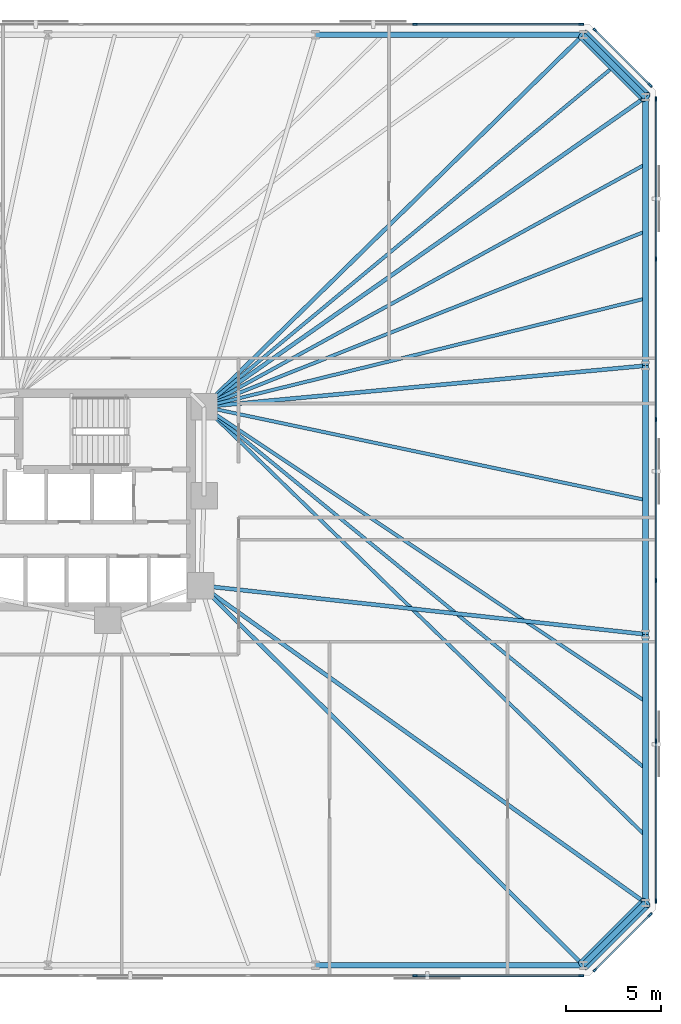
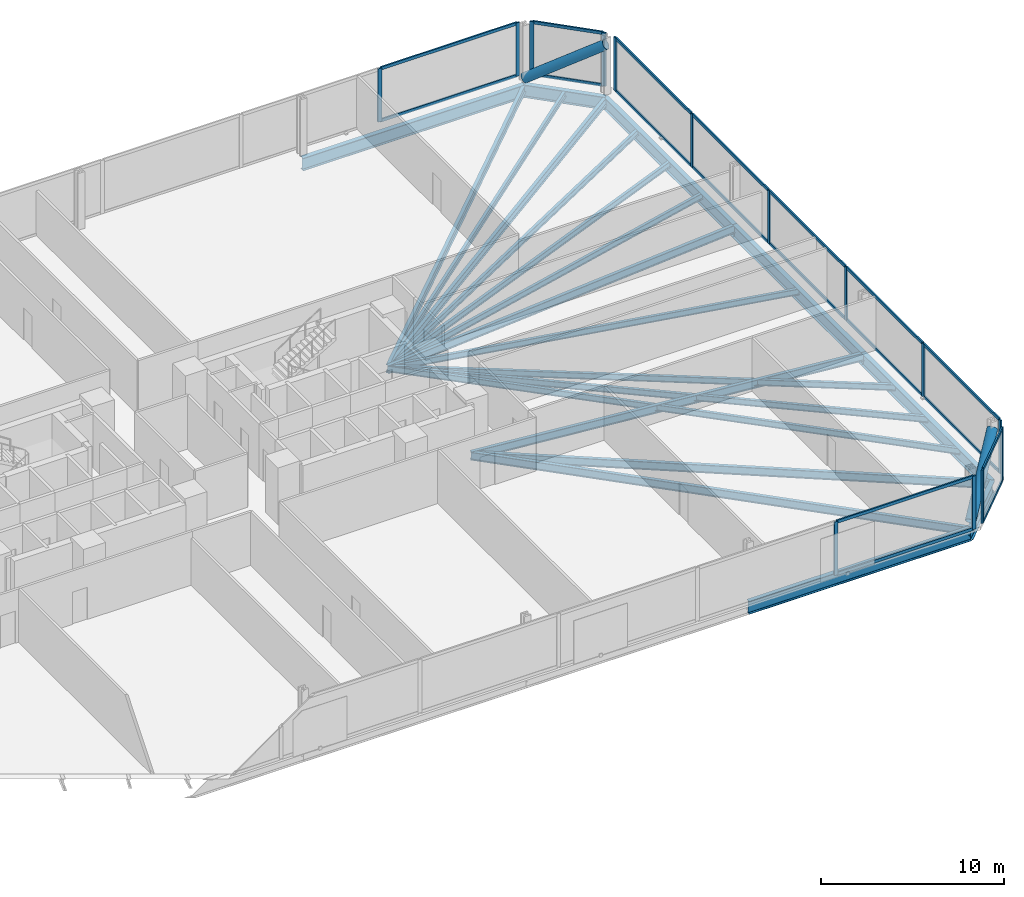
# One storey, part 10 of 17: 34 members, 21 beams, 5 elements without a shape of their own.
"""IFC4 building model written with IfcOpenShell, lengths in metres."""

from ifc_helpers import new_model, si_unit, direction, frame, origin, origin_2d, place, context, subcontext, project, spatial, rectangle, hollow_circle, i_section, extrude, material, material_profile, profile_set, type_object, element, aggregate, save


model = new_model("IFC4")

# Units and contexts
model_context = context("Model", 3, precision=1e-05, world=origin(), true_north=direction((0.0, 1.0)))
body_context = subcontext(model_context, "Body", "Model", "MODEL_VIEW")
ifc_project = project(units=[si_unit("LENGTHUNIT", "METRE"), si_unit("AREAUNIT", "SQUARE_METRE"), si_unit("VOLUMEUNIT", "CUBIC_METRE"), si_unit("PLANEANGLEUNIT", "RADIAN"), si_unit("MASSUNIT", "GRAM", prefix="KILO")], contexts=[model_context])

# Site, building, storey
site_placement = place(None, origin())
site = spatial("IfcSite", under=ifc_project, at=site_placement, CompositionType="ELEMENT")
building_placement = place(site_placement, origin())
building = spatial("IfcBuilding", under=site, at=building_placement, Name="Menara Jurai Vektor", CompositionType="ELEMENT")
storey_placement = place(building_placement, frame((0.0, 0.0, 56.0)))
storey = spatial("IfcBuildingStorey", under=building, at=storey_placement, Name="L13", CompositionType="ELEMENT", Elevation=56.0)

# Curtain wall, members
ifc_material_1 = material(Name="Anodised Pale Aluminium & Low-E Double Glazing", Category="aluminium")
curtain_wall_type = type_object("IfcCurtainWallType", Name="CW-BLK1", PredefinedType="NOTDEFINED", material=ifc_material_1)
curtain_wall_1_placement = place(storey_placement, origin())
curtain_wall_1 = element("IfcCurtainWall", 1, at=curtain_wall_1_placement, inside=storey, type_object=curtain_wall_type, Name="Unitised Curtain Wall L13 F01", PredefinedType="NOTDEFINED")
ifc_material_2 = material(Name="Anodised Pale Aluminium Mullion", Category="aluminium")
ifc_material_profile_1 = material_profile(ifc_material_2, rectangle(XDim=0.094970703125, YDim=0.239990234375, at=origin_2d()), Name="ALU MUL 95x240")
ifc_profile_set_1 = profile_set([ifc_material_profile_1], Name="Anodised Pale Aluminium Mullion")
member_type_1 = type_object("IfcMemberType", Name="CW-BLK1-MUL", PredefinedType="MULLION", material=ifc_profile_set_1)
member_1_placement = place(storey_placement, frame((26.340087890625, -25.0, 0.0), z_axis=(0.0, 0.0, 1.0), x_axis=(0.0, 1.0, 0.0)))
member_1 = element("IfcMember", 2, at=member_1_placement, type_object=member_type_1, Name="CW-01 mullion 8", PredefinedType="MULLION", context=body_context, shape_type="SweptSolid", body=[
    extrude(rectangle(XDim=0.094970703125, YDim=0.239990234375, at=origin_2d()), origin(), (0.0, 0.0, 1.0), 3.574951171875),
])
member_2_placement = place(storey_placement, frame((35.072509765625, -25.0, 0.0), z_axis=(0.0, 0.0, 1.0), x_axis=(0.0, 1.0, 0.0)))
member_2 = element("IfcMember", 3, at=member_2_placement, type_object=member_type_1, Name="CW-01 mullion 9", PredefinedType="MULLION", context=body_context, shape_type="SweptSolid", body=[
    extrude(rectangle(XDim=0.094970703125, YDim=0.239990234375, at=origin_2d()), origin(), (0.0, 0.0, 1.0), 3.574951171875),
])

curtain_wall_2_placement = place(storey_placement, origin())
curtain_wall_2 = element("IfcCurtainWall", 4, at=curtain_wall_2_placement, inside=storey, type_object=curtain_wall_type, Name="Unitised Curtain Wall L13 F02", PredefinedType="NOTDEFINED")
member_3_placement = place(storey_placement, frame((35.80224609375, -24.69775390625, 0.0), z_axis=(0.0, 0.0, 1.0), x_axis=(-0.707106781187, 0.707106781187, 0.0)))
member_3 = element("IfcMember", 5, at=member_3_placement, type_object=member_type_1, Name="CW-01 mullion 1", PredefinedType="MULLION", context=body_context, shape_type="SweptSolid", body=[
    extrude(rectangle(XDim=0.094970703125, YDim=0.239990234375, at=origin_2d()), origin(), (0.0, 0.0, 1.0), 3.574951171875),
])
member_4_placement = place(storey_placement, frame((38.69775390625, -21.80224609375, 0.0), z_axis=(0.0, 0.0, 1.0), x_axis=(-0.707106781187, 0.707106781187, 0.0)))
member_4 = element("IfcMember", 6, at=member_4_placement, type_object=member_type_1, Name="CW-01 mullion 2", PredefinedType="MULLION", context=body_context, shape_type="SweptSolid", body=[
    extrude(rectangle(XDim=0.094970703125, YDim=0.239990234375, at=origin_2d()), origin(), (0.0, 0.0, 1.0), 3.574951171875),
])

curtain_wall_3_placement = place(storey_placement, origin())
curtain_wall_3 = element("IfcCurtainWall", 7, at=curtain_wall_3_placement, inside=storey, type_object=curtain_wall_type, Name="Unitised Curtain Wall L13 F03", PredefinedType="NOTDEFINED")
member_5_placement = place(storey_placement, frame((39.0, -21.072509765625, 0.0), z_axis=(0.0, 0.0, 1.0), x_axis=(-1.0, 0.0, 0.0)))
member_5 = element("IfcMember", 8, at=member_5_placement, type_object=member_type_1, Name="CW-01 mullion 1", PredefinedType="MULLION", context=body_context, shape_type="SweptSolid", body=[
    extrude(rectangle(XDim=0.094970703125, YDim=0.239990234375, at=origin_2d()), origin(), (0.0, 0.0, 1.0), 3.574951171875),
])
member_6_placement = place(storey_placement, frame((39.0, -12.672119140625, 0.0), z_axis=(0.0, 0.0, 1.0), x_axis=(-1.0, 0.0, 0.0)))
member_6 = element("IfcMember", 9, at=member_6_placement, type_object=member_type_1, Name="CW-01 mullion 2", PredefinedType="MULLION", context=body_context, shape_type="SweptSolid", body=[
    extrude(rectangle(XDim=0.094970703125, YDim=0.239990234375, at=origin_2d()), origin(), (0.0, 0.0, 1.0), 3.574951171875),
])
member_7_placement = place(storey_placement, frame((39.0, -4.22412109375, 0.0), z_axis=(0.0, 0.0, 1.0), x_axis=(-1.0, 0.0, 0.0)))
member_7 = element("IfcMember", 10, at=member_7_placement, type_object=member_type_1, Name="CW-01 mullion 3", PredefinedType="MULLION", context=body_context, shape_type="SweptSolid", body=[
    extrude(rectangle(XDim=0.094970703125, YDim=0.239990234375, at=origin_2d()), origin(), (0.0, 0.0, 1.0), 3.574951171875),
])
member_8_placement = place(storey_placement, frame((39.0, 4.22412109375, 0.0), z_axis=(0.0, 0.0, 1.0), x_axis=(-1.0, 0.0, 0.0)))
member_8 = element("IfcMember", 11, at=member_8_placement, type_object=member_type_1, Name="CW-01 mullion 4", PredefinedType="MULLION", context=body_context, shape_type="SweptSolid", body=[
    extrude(rectangle(XDim=0.094970703125, YDim=0.239990234375, at=origin_2d()), origin(), (0.0, 0.0, 1.0), 3.574951171875),
])
member_9_placement = place(storey_placement, frame((39.0, 12.672119140625, 0.0), z_axis=(0.0, 0.0, 1.0), x_axis=(-1.0, 0.0, 0.0)))
member_9 = element("IfcMember", 12, at=member_9_placement, type_object=member_type_1, Name="CW-01 mullion 5", PredefinedType="MULLION", context=body_context, shape_type="SweptSolid", body=[
    extrude(rectangle(XDim=0.094970703125, YDim=0.239990234375, at=origin_2d()), origin(), (0.0, 0.0, 1.0), 3.574951171875),
])
member_10_placement = place(storey_placement, frame((39.0, 21.072509765625, 0.0), z_axis=(0.0, 0.0, 1.0), x_axis=(-1.0, 0.0, 0.0)))
member_10 = element("IfcMember", 13, at=member_10_placement, type_object=member_type_1, Name="CW-01 mullion 6", PredefinedType="MULLION", context=body_context, shape_type="SweptSolid", body=[
    extrude(rectangle(XDim=0.094970703125, YDim=0.239990234375, at=origin_2d()), origin(), (0.0, 0.0, 1.0), 3.574951171875),
])

curtain_wall_4_placement = place(storey_placement, origin())
curtain_wall_4 = element("IfcCurtainWall", 14, at=curtain_wall_4_placement, inside=storey, type_object=curtain_wall_type, Name="Unitised Curtain Wall L13 F04", PredefinedType="NOTDEFINED")
member_11_placement = place(storey_placement, frame((38.69775390625, 21.80224609375, 0.0), z_axis=(0.0, 0.0, 1.0), x_axis=(-0.707106781187, -0.707106781187, 0.0)))
member_11 = element("IfcMember", 15, at=member_11_placement, type_object=member_type_1, Name="CW-01 mullion 1", PredefinedType="MULLION", context=body_context, shape_type="SweptSolid", body=[
    extrude(rectangle(XDim=0.094970703125, YDim=0.239990234375, at=origin_2d()), origin(), (0.0, 0.0, 1.0), 3.574951171875),
])
member_12_placement = place(storey_placement, frame((35.80224609375, 24.69775390625, 0.0), z_axis=(0.0, 0.0, 1.0), x_axis=(-0.707106781187, -0.707106781187, 0.0)))
member_12 = element("IfcMember", 16, at=member_12_placement, type_object=member_type_1, Name="CW-01 mullion 2", PredefinedType="MULLION", context=body_context, shape_type="SweptSolid", body=[
    extrude(rectangle(XDim=0.094970703125, YDim=0.239990234375, at=origin_2d()), origin(), (0.0, 0.0, 1.0), 3.574951171875),
])

curtain_wall_5_placement = place(storey_placement, origin())
curtain_wall_5 = element("IfcCurtainWall", 17, at=curtain_wall_5_placement, inside=storey, type_object=curtain_wall_type, Name="Unitised Curtain Wall L13 F05", PredefinedType="NOTDEFINED")
member_13_placement = place(storey_placement, frame((35.072509765625, 25.0, 0.0), z_axis=(0.0, 0.0, 1.0), x_axis=(0.0, -1.0, 0.0)))
member_13 = element("IfcMember", 18, at=member_13_placement, type_object=member_type_1, Name="CW-01 mullion 1", PredefinedType="MULLION", context=body_context, shape_type="SweptSolid", body=[
    extrude(rectangle(XDim=0.094970703125, YDim=0.239990234375, at=origin_2d()), origin(), (0.0, 0.0, 1.0), 3.574951171875),
])
member_14_placement = place(storey_placement, frame((26.340087890625, 25.0, 0.0), z_axis=(0.0, 0.0, 1.0), x_axis=(0.0, -1.0, 0.0)))
member_14 = element("IfcMember", 19, at=member_14_placement, type_object=member_type_1, Name="CW-01 mullion 2", PredefinedType="MULLION", context=body_context, shape_type="SweptSolid", body=[
    extrude(rectangle(XDim=0.094970703125, YDim=0.239990234375, at=origin_2d()), origin(), (0.0, 0.0, 1.0), 3.574951171875),
])

# Member
ifc_material_3 = material(Name="Anodised Pale Aluminium Transom", Category="aluminium")
ifc_material_profile_2 = material_profile(ifc_material_3, rectangle(XDim=0.094970703125, YDim=0.199951171875, at=origin_2d()), Name="ALU TRN 95x200")
ifc_profile_set_2 = profile_set([ifc_material_profile_2], Name="Anodised Pale Aluminium Transom")
member_type_2 = type_object("IfcMemberType", Name="CW-BLK1-TRN", PredefinedType="USERDEFINED", material=ifc_profile_set_2)
member_15_placement = place(storey_placement, frame((26.387451171875, -25.0, 0.047607421875), z_axis=(1.0, 0.0, 0.0), x_axis=(0.0, 1.0, 0.0)))
member_15 = element("IfcMember", 20, at=member_15_placement, type_object=member_type_2, Name="CW-01 transom 8.1", ObjectType="TRANSOM", PredefinedType="USERDEFINED", context=body_context, shape_type="SweptSolid", body=[
    extrude(rectangle(XDim=0.094970703125, YDim=0.199951171875, at=origin_2d()), origin(), (0.0, 0.0, 1.0), 8.637451171875),
])

member_16_placement = place(storey_placement, frame((26.387451171875, -25.0, 3.527587890625), z_axis=(1.0, 0.0, 0.0), x_axis=(0.0, 1.0, 0.0)))
member_16 = element("IfcMember", 21, at=member_16_placement, type_object=member_type_2, Name="CW-01 transom 8.2", ObjectType="TRANSOM", PredefinedType="USERDEFINED", context=body_context, shape_type="SweptSolid", body=[
    extrude(rectangle(XDim=0.094970703125, YDim=0.199951171875, at=origin_2d()), origin(), (0.0, 0.0, 1.0), 8.637451171875),
])

aggregate(curtain_wall_1, [member_1, member_2, member_15, member_16])

member_17_placement = place(storey_placement, frame((35.8359375, -24.6640625, 0.047607421875), z_axis=(0.707106781187, 0.707106781187, 0.0), x_axis=(-0.707106781187, 0.707106781187, 0.0)))
member_17 = element("IfcMember", 22, at=member_17_placement, type_object=member_type_2, Name="CW-01 transom 1.1", ObjectType="TRANSOM", PredefinedType="USERDEFINED", context=body_context, shape_type="SweptSolid", body=[
    extrude(rectangle(XDim=0.094970703125, YDim=0.199951171875, at=origin_2d()), origin(), (0.0, 0.0, 1.0), 3.99951171875),
])

member_18_placement = place(storey_placement, frame((35.8359375, -24.6640625, 3.527587890625), z_axis=(0.707106781187, 0.707106781187, 0.0), x_axis=(-0.707106781187, 0.707106781187, 0.0)))
member_18 = element("IfcMember", 23, at=member_18_placement, type_object=member_type_2, Name="CW-01 transom 1.2", ObjectType="TRANSOM", PredefinedType="USERDEFINED", context=body_context, shape_type="SweptSolid", body=[
    extrude(rectangle(XDim=0.094970703125, YDim=0.199951171875, at=origin_2d()), origin(), (0.0, 0.0, 1.0), 3.99951171875),
])

aggregate(curtain_wall_2, [member_3, member_4, member_17, member_18])

member_19_placement = place(storey_placement, frame((39.0, -21.02490234375, 0.047607421875), z_axis=(0.0, 1.0, 0.0), x_axis=(-1.0, 0.0, 0.0)))
member_19 = element("IfcMember", 24, at=member_19_placement, type_object=member_type_2, Name="CW-01 transom 1.1", ObjectType="TRANSOM", PredefinedType="USERDEFINED", context=body_context, shape_type="SweptSolid", body=[
    extrude(rectangle(XDim=0.094970703125, YDim=0.199951171875, at=origin_2d()), origin(), (0.0, 0.0, 1.0), 8.305419921875),
])

member_20_placement = place(storey_placement, frame((39.0, -21.02490234375, 3.527587890625), z_axis=(0.0, 1.0, 0.0), x_axis=(-1.0, 0.0, 0.0)))
member_20 = element("IfcMember", 25, at=member_20_placement, type_object=member_type_2, Name="CW-01 transom 1.2", ObjectType="TRANSOM", PredefinedType="USERDEFINED", context=body_context, shape_type="SweptSolid", body=[
    extrude(rectangle(XDim=0.094970703125, YDim=0.199951171875, at=origin_2d()), origin(), (0.0, 0.0, 1.0), 8.305419921875),
])

member_21_placement = place(storey_placement, frame((39.0, -12.62451171875, 0.047607421875), z_axis=(0.0, 1.0, 0.0), x_axis=(-1.0, 0.0, 0.0)))
member_21 = element("IfcMember", 26, at=member_21_placement, type_object=member_type_2, Name="CW-01 transom 2.1", ObjectType="TRANSOM", PredefinedType="USERDEFINED", context=body_context, shape_type="SweptSolid", body=[
    extrude(rectangle(XDim=0.094970703125, YDim=0.199951171875, at=origin_2d()), origin(), (0.0, 0.0, 1.0), 8.35302734375),
])

member_22_placement = place(storey_placement, frame((39.0, -12.62451171875, 3.527587890625), z_axis=(0.0, 1.0, 0.0), x_axis=(-1.0, 0.0, 0.0)))
member_22 = element("IfcMember", 27, at=member_22_placement, type_object=member_type_2, Name="CW-01 transom 2.2", ObjectType="TRANSOM", PredefinedType="USERDEFINED", context=body_context, shape_type="SweptSolid", body=[
    extrude(rectangle(XDim=0.094970703125, YDim=0.199951171875, at=origin_2d()), origin(), (0.0, 0.0, 1.0), 8.35302734375),
])

member_23_placement = place(storey_placement, frame((39.0, -4.176513671875, 0.047607421875), z_axis=(0.0, 1.0, 0.0), x_axis=(-1.0, 0.0, 0.0)))
member_23 = element("IfcMember", 28, at=member_23_placement, type_object=member_type_2, Name="CW-01 transom 3.1", ObjectType="TRANSOM", PredefinedType="USERDEFINED", context=body_context, shape_type="SweptSolid", body=[
    extrude(rectangle(XDim=0.094970703125, YDim=0.199951171875, at=origin_2d()), origin(), (0.0, 0.0, 1.0), 8.35302734375),
])

member_24_placement = place(storey_placement, frame((39.0, -4.176513671875, 3.527587890625), z_axis=(0.0, 1.0, 0.0), x_axis=(-1.0, 0.0, 0.0)))
member_24 = element("IfcMember", 29, at=member_24_placement, type_object=member_type_2, Name="CW-01 transom 3.2", ObjectType="TRANSOM", PredefinedType="USERDEFINED", context=body_context, shape_type="SweptSolid", body=[
    extrude(rectangle(XDim=0.094970703125, YDim=0.199951171875, at=origin_2d()), origin(), (0.0, 0.0, 1.0), 8.35302734375),
])

member_25_placement = place(storey_placement, frame((39.0, 4.271484375, 0.047607421875), z_axis=(0.0, 1.0, 0.0), x_axis=(-1.0, 0.0, 0.0)))
member_25 = element("IfcMember", 30, at=member_25_placement, type_object=member_type_2, Name="CW-01 transom 4.1", ObjectType="TRANSOM", PredefinedType="USERDEFINED", context=body_context, shape_type="SweptSolid", body=[
    extrude(rectangle(XDim=0.094970703125, YDim=0.199951171875, at=origin_2d()), origin(), (0.0, 0.0, 1.0), 8.35302734375),
])

member_26_placement = place(storey_placement, frame((39.0, 4.271484375, 3.527587890625), z_axis=(0.0, 1.0, 0.0), x_axis=(-1.0, 0.0, 0.0)))
member_26 = element("IfcMember", 31, at=member_26_placement, type_object=member_type_2, Name="CW-01 transom 4.2", ObjectType="TRANSOM", PredefinedType="USERDEFINED", context=body_context, shape_type="SweptSolid", body=[
    extrude(rectangle(XDim=0.094970703125, YDim=0.199951171875, at=origin_2d()), origin(), (0.0, 0.0, 1.0), 8.35302734375),
])

member_27_placement = place(storey_placement, frame((39.0, 12.719482421875, 0.047607421875), z_axis=(0.0, 1.0, 0.0), x_axis=(-1.0, 0.0, 0.0)))
member_27 = element("IfcMember", 32, at=member_27_placement, type_object=member_type_2, Name="CW-01 transom 5.1", ObjectType="TRANSOM", PredefinedType="USERDEFINED", context=body_context, shape_type="SweptSolid", body=[
    extrude(rectangle(XDim=0.094970703125, YDim=0.199951171875, at=origin_2d()), origin(), (0.0, 0.0, 1.0), 8.305419921875),
])

member_28_placement = place(storey_placement, frame((39.0, 12.719482421875, 3.527587890625), z_axis=(0.0, 1.0, 0.0), x_axis=(-1.0, 0.0, 0.0)))
member_28 = element("IfcMember", 33, at=member_28_placement, type_object=member_type_2, Name="CW-01 transom 5.2", ObjectType="TRANSOM", PredefinedType="USERDEFINED", context=body_context, shape_type="SweptSolid", body=[
    extrude(rectangle(XDim=0.094970703125, YDim=0.199951171875, at=origin_2d()), origin(), (0.0, 0.0, 1.0), 8.305419921875),
])

aggregate(curtain_wall_3, [member_5, member_6, member_7, member_8, member_9, member_10, member_19, member_20, member_21, member_22, member_23, member_24, member_25, member_26, member_27, member_28])

member_29_placement = place(storey_placement, frame((38.6640625, 21.8359375, 0.047607421875), z_axis=(-0.707106781187, 0.707106781187, 0.0), x_axis=(-0.707106781187, -0.707106781187, 0.0)))
member_29 = element("IfcMember", 34, at=member_29_placement, type_object=member_type_2, Name="CW-01 transom 1.1", ObjectType="TRANSOM", PredefinedType="USERDEFINED", context=body_context, shape_type="SweptSolid", body=[
    extrude(rectangle(XDim=0.094970703125, YDim=0.199951171875, at=origin_2d()), origin(), (0.0, 0.0, 1.0), 3.99951171875),
])

member_30_placement = place(storey_placement, frame((38.6640625, 21.8359375, 3.527587890625), z_axis=(-0.707106781187, 0.707106781187, 0.0), x_axis=(-0.707106781187, -0.707106781187, 0.0)))
member_30 = element("IfcMember", 35, at=member_30_placement, type_object=member_type_2, Name="CW-01 transom 1.2", ObjectType="TRANSOM", PredefinedType="USERDEFINED", context=body_context, shape_type="SweptSolid", body=[
    extrude(rectangle(XDim=0.094970703125, YDim=0.199951171875, at=origin_2d()), origin(), (0.0, 0.0, 1.0), 3.99951171875),
])

aggregate(curtain_wall_4, [member_11, member_12, member_29, member_30])

member_31_placement = place(storey_placement, frame((35.02490234375, 25.0, 0.047607421875), z_axis=(-1.0, 0.0, 0.0), x_axis=(0.0, -1.0, 0.0)))
member_31 = element("IfcMember", 36, at=member_31_placement, type_object=member_type_2, Name="CW-01 transom 1.1", ObjectType="TRANSOM", PredefinedType="USERDEFINED", context=body_context, shape_type="SweptSolid", body=[
    extrude(rectangle(XDim=0.094970703125, YDim=0.199951171875, at=origin_2d()), origin(), (0.0, 0.0, 1.0), 8.637451171875),
])

member_32_placement = place(storey_placement, frame((35.02490234375, 25.0, 3.527587890625), z_axis=(-1.0, 0.0, 0.0), x_axis=(0.0, -1.0, 0.0)))
member_32 = element("IfcMember", 37, at=member_32_placement, type_object=member_type_2, Name="CW-01 transom 1.2", ObjectType="TRANSOM", PredefinedType="USERDEFINED", context=body_context, shape_type="SweptSolid", body=[
    extrude(rectangle(XDim=0.094970703125, YDim=0.199951171875, at=origin_2d()), origin(), (0.0, 0.0, 1.0), 8.637451171875),
])

aggregate(curtain_wall_5, [member_13, member_14, member_31, member_32])

# Beams
ifc_material_4 = material(Name="Steel S355", Category="steel")
ifc_material_profile_3 = material_profile(ifc_material_4, i_section(OverallWidth=0.2109375, OverallDepth=0.5390625, WebThickness=0.011962890625, FlangeThickness=0.01904296875, FilletRadius=0.012939453125, at=origin_2d()), Name="UKB 533x210x109")
ifc_profile_set_3 = profile_set([ifc_material_profile_3], Name="Steel S355")
beam_type_1 = type_object("IfcBeamType", Name="STR-BM-533", PredefinedType="BEAM", material=ifc_profile_set_3)
beam_1_placement = place(storey_placement, frame((35.177734375, -24.449951171875, -0.494384765625), z_axis=(-0.709709931659, 0.704494011972, 0.0), x_axis=(-0.704494011972, -0.709709931659, 0.0)))
element("IfcBeam", 38, at=beam_1_placement, inside=storey, type_object=beam_type_1, Name="Radial Floor Girder L13-S6", PredefinedType="BEAM", context=body_context, shape_type="SweptSolid", body=[
    extrude(i_section(OverallWidth=0.2109375, OverallDepth=0.5390625, WebThickness=0.011962890625, FlangeThickness=0.01904296875, FilletRadius=0.012939453125, at=origin_2d()), origin(), (0.0, 0.0, 1.0), 28.318115234375),
])
beam_2_placement = place(storey_placement, frame((38.449951171875, -21.177734375, -0.494384765625), z_axis=(-0.813981033216, 0.580891450759, 0.0), x_axis=(-0.580891450759, -0.813981033216, 0.0)))
element("IfcBeam", 39, at=beam_2_placement, inside=storey, type_object=beam_type_1, Name="Radial Floor Girder L13-E1", PredefinedType="BEAM", context=body_context, shape_type="SweptSolid", body=[
    extrude(i_section(OverallWidth=0.2109375, OverallDepth=0.5390625, WebThickness=0.011962890625, FlangeThickness=0.01904296875, FilletRadius=0.012939453125, at=origin_2d()), origin(), (0.0, 0.0, 1.0), 28.710693359375),
])
beam_3_placement = place(storey_placement, frame((38.449951171875, -7.059326171875, -0.494384765625), z_axis=(-0.994056757953, 0.108863042253, 0.0), x_axis=(-0.108863042253, -0.994056757953, 0.0)))
element("IfcBeam", 40, at=beam_3_placement, inside=storey, type_object=beam_type_1, Name="Radial Floor Girder L13-E2", PredefinedType="BEAM", context=body_context, shape_type="SweptSolid", body=[
    extrude(i_section(OverallWidth=0.2109375, OverallDepth=0.5390625, WebThickness=0.011962890625, FlangeThickness=0.01904296875, FilletRadius=0.012939453125, at=origin_2d()), origin(), (0.0, 0.0, 1.0), 23.509521484375),
])
beam_4_placement = place(storey_placement, frame((38.449951171875, 7.059326171875, -0.494384765625), z_axis=(-0.995696113112, -0.092678208514, 0.0), x_axis=(0.092678208514, -0.995696113112, 0.0)))
element("IfcBeam", 41, at=beam_4_placement, inside=storey, type_object=beam_type_1, Name="Radial Floor Girder L13-E3", PredefinedType="BEAM", context=body_context, shape_type="SweptSolid", body=[
    extrude(i_section(OverallWidth=0.2109375, OverallDepth=0.5390625, WebThickness=0.011962890625, FlangeThickness=0.01904296875, FilletRadius=0.012939453125, at=origin_2d()), origin(), (0.0, 0.0, 1.0), 23.30029296875),
])
beam_5_placement = place(storey_placement, frame((38.449951171875, 21.177734375, -0.494384765625), z_axis=(-0.818603732445, -0.574358711283, 0.0), x_axis=(0.574358711283, -0.818603732445, 0.0)))
element("IfcBeam", 42, at=beam_5_placement, inside=storey, type_object=beam_type_1, Name="Radial Floor Girder L13-E4", PredefinedType="BEAM", context=body_context, shape_type="SweptSolid", body=[
    extrude(i_section(OverallWidth=0.2109375, OverallDepth=0.5390625, WebThickness=0.011962890625, FlangeThickness=0.01904296875, FilletRadius=0.012939453125, at=origin_2d()), origin(), (0.0, 0.0, 1.0), 28.3408203125),
])
beam_6_placement = place(storey_placement, frame((35.177734375, 24.449951171875, -0.494384765625), z_axis=(-0.713839032855, -0.700309813706, 0.0), x_axis=(0.700309813706, -0.713839032855, 0.0)))
element("IfcBeam", 43, at=beam_6_placement, inside=storey, type_object=beam_type_1, Name="Radial Floor Girder L13-N1", PredefinedType="BEAM", context=body_context, shape_type="SweptSolid", body=[
    extrude(i_section(OverallWidth=0.2109375, OverallDepth=0.5390625, WebThickness=0.011962890625, FlangeThickness=0.01904296875, FilletRadius=0.012939453125, at=origin_2d()), origin(), (0.0, 0.0, 1.0), 27.916259765625),
])

# Members
ifc_material_5 = material(Name="Steel S460", Category="steel")
ifc_material_profile_4 = material_profile(ifc_material_5, hollow_circle(Radius=0.304931640625, WallThickness=0.02490234375, at=origin_2d()), Name="CHS 610x25")
ifc_profile_set_4 = profile_set([ifc_material_profile_4], Name="Steel S460")
member_type_3 = type_object("IfcMemberType", Name="STR-BR-610", PredefinedType="BRACE", material=ifc_profile_set_4)
for number, where, z_axis, x_axis, name in (
    (44, (35.177734375, -24.449951171875, 0.14990234375), (0.588928100616, 0.588928100616, 0.55346850372), (-0.707106781187, 0.707106781187, 0.0), "Exoskeleton Corner Brace L13-1"),
    (45, (35.177734375, 24.449951171875, 0.14990234375), (0.588928100616, -0.588928100616, 0.55346850372), (0.707106781187, 0.707106781187, 0.0), "Exoskeleton Corner Brace L13-2"),
):
    element("IfcMember", number, at=place(storey_placement, frame(where, z_axis=z_axis, x_axis=x_axis)), inside=storey, type_object=member_type_3, Name=name, PredefinedType="BRACE", context=body_context, shape_type="SweptSolid", body=[
        extrude(hollow_circle(Radius=0.304931640625, WallThickness=0.02490234375, at=origin_2d()), origin(), (0.0, 0.0, 1.0), 5.55615234375),
    ])

# Beams
ifc_material_profile_5 = material_profile(ifc_material_4, i_section(OverallWidth=0.178955078125, OverallDepth=0.408935546875, WebThickness=0.009033203125, FlangeThickness=0.013916015625, FilletRadius=0.010009765625, at=origin_2d()), Name="UKB 406x178x67")
ifc_profile_set_5 = profile_set([ifc_material_profile_5], Name="Steel S355")
beam_type_2 = type_object("IfcBeamType", Name="STR-JS-406", PredefinedType="JOIST", material=ifc_profile_set_5)
beam_7_placement = place(storey_placement, frame((38.449951171875, -17.648193359375, -0.429443359375), z_axis=(-0.71710942187, 0.696960599363, 0.0), x_axis=(-0.696960599363, -0.71710942187, 0.0)))
element("IfcBeam", 46, at=beam_7_placement, inside=storey, type_object=beam_type_2, Name="Radial Secondary Floor Joist L13-JS08", PredefinedType="JOIST", context=body_context, shape_type="SweptSolid", body=[
    extrude(i_section(OverallWidth=0.178955078125, OverallDepth=0.408935546875, WebThickness=0.009033203125, FlangeThickness=0.013916015625, FilletRadius=0.010009765625, at=origin_2d()), origin(), (0.0, 0.0, 1.0), 32.35205078125),
])
beam_8_placement = place(storey_placement, frame((38.449951171875, -14.118408203125, -0.429443359375), z_axis=(-0.773360118456, 0.633966976413, 0.0), x_axis=(-0.633966976413, -0.773360118456, 0.0)))
element("IfcBeam", 47, at=beam_8_placement, inside=storey, type_object=beam_type_2, Name="Radial Secondary Floor Joist L13-JS09", PredefinedType="JOIST", context=body_context, shape_type="SweptSolid", body=[
    extrude(i_section(OverallWidth=0.178955078125, OverallDepth=0.408935546875, WebThickness=0.009033203125, FlangeThickness=0.013916015625, FilletRadius=0.010009765625, at=origin_2d()), origin(), (0.0, 0.0, 1.0), 29.998779296875),
])
beam_9_placement = place(storey_placement, frame((38.449951171875, -10.5888671875, -0.429443359375), z_axis=(-0.831683872109, 0.555249436627, 0.0), x_axis=(-0.555249436627, -0.831683872109, 0.0)))
element("IfcBeam", 48, at=beam_9_placement, inside=storey, type_object=beam_type_2, Name="Radial Secondary Floor Joist L13-JS10", PredefinedType="JOIST", context=body_context, shape_type="SweptSolid", body=[
    extrude(i_section(OverallWidth=0.178955078125, OverallDepth=0.408935546875, WebThickness=0.009033203125, FlangeThickness=0.013916015625, FilletRadius=0.010009765625, at=origin_2d()), origin(), (0.0, 0.0, 1.0), 27.895263671875),
])
beam_10_placement = place(storey_placement, frame((38.449951171875, 0.0, -0.429443359375), z_axis=(-0.978416084102, 0.206644541109, 0.0), x_axis=(-0.206644541109, -0.978416084102, 0.0)))
element("IfcBeam", 49, at=beam_10_placement, inside=storey, type_object=beam_type_2, Name="Radial Secondary Floor Joist L13-JS11", PredefinedType="JOIST", context=body_context, shape_type="SweptSolid", body=[
    extrude(i_section(OverallWidth=0.178955078125, OverallDepth=0.408935546875, WebThickness=0.009033203125, FlangeThickness=0.013916015625, FilletRadius=0.010009765625, at=origin_2d()), origin(), (0.0, 0.0, 1.0), 23.711669921875),
])
beam_11_placement = place(storey_placement, frame((38.449951171875, 10.5888671875, -0.429443359375), z_axis=(-0.971226234641, -0.238158772976, 0.0), x_axis=(0.238158772976, -0.971226234641, 0.0)))
element("IfcBeam", 50, at=beam_11_placement, inside=storey, type_object=beam_type_2, Name="Radial Secondary Floor Joist L13-JS12", PredefinedType="JOIST", context=body_context, shape_type="SweptSolid", body=[
    extrude(i_section(OverallWidth=0.178955078125, OverallDepth=0.408935546875, WebThickness=0.009033203125, FlangeThickness=0.013916015625, FilletRadius=0.010009765625, at=origin_2d()), origin(), (0.0, 0.0, 1.0), 23.88720703125),
])
beam_12_placement = place(storey_placement, frame((38.449951171875, 14.118408203125, -0.429443359375), z_axis=(-0.929323400723, -0.369266864027, 0.0), x_axis=(0.369266864027, -0.929323400723, 0.0)))
element("IfcBeam", 51, at=beam_12_placement, inside=storey, type_object=beam_type_2, Name="Radial Secondary Floor Joist L13-JS13", PredefinedType="JOIST", context=body_context, shape_type="SweptSolid", body=[
    extrude(i_section(OverallWidth=0.178955078125, OverallDepth=0.408935546875, WebThickness=0.009033203125, FlangeThickness=0.013916015625, FilletRadius=0.010009765625, at=origin_2d()), origin(), (0.0, 0.0, 1.0), 24.96435546875),
])
beam_13_placement = place(storey_placement, frame((38.449951171875, 17.648193359375, -0.429443359375), z_axis=(-0.87640219057, -0.481579900291, 0.0), x_axis=(0.481579900291, -0.87640219057, 0.0)))
element("IfcBeam", 52, at=beam_13_placement, inside=storey, type_object=beam_type_2, Name="Radial Secondary Floor Joist L13-JS14", PredefinedType="JOIST", context=body_context, shape_type="SweptSolid", body=[
    extrude(i_section(OverallWidth=0.178955078125, OverallDepth=0.408935546875, WebThickness=0.009033203125, FlangeThickness=0.013916015625, FilletRadius=0.010009765625, at=origin_2d()), origin(), (0.0, 0.0, 1.0), 26.471923828125),
])
beam_14_placement = place(storey_placement, frame((36.81396484375, 22.81396484375, -0.429443359375), z_axis=(-0.769201173096, -0.639006694259, 0.0), x_axis=(0.639006694259, -0.769201173096, 0.0)))
element("IfcBeam", 53, at=beam_14_placement, inside=storey, type_object=beam_type_2, Name="Radial Secondary Floor Joist L13-JS15", PredefinedType="JOIST", context=body_context, shape_type="SweptSolid", body=[
    extrude(i_section(OverallWidth=0.178955078125, OverallDepth=0.408935546875, WebThickness=0.009033203125, FlangeThickness=0.013916015625, FilletRadius=0.010009765625, at=origin_2d()), origin(), (0.0, 0.0, 1.0), 28.0341796875),
])
ifc_material_profile_6 = material_profile(ifc_material_5, i_section(OverallWidth=0.2939453125, OverallDepth=0.85107421875, WebThickness=0.01611328125, FlangeThickness=0.027099609375, FilletRadius=0.01806640625, at=origin_2d()), Name="UKB 838x292x226")
ifc_profile_set_6 = profile_set([ifc_material_profile_6], Name="Steel S460")
beam_type_3 = type_object("IfcBeamType", Name="STR-SP-838", PredefinedType="SPANDREL", material=ifc_profile_set_6)
beam_15_placement = place(storey_placement, frame((21.106689453125, -24.449951171875, -0.650390625), z_axis=(1.0, 0.0, 0.0), x_axis=(0.0, 1.0, 0.0)))
element("IfcBeam", 54, at=beam_15_placement, inside=storey, type_object=beam_type_3, Name="Exoskeleton Spandrel Beam L13-05", PredefinedType="SPANDREL", context=body_context, shape_type="SweptSolid", body=[
    extrude(i_section(OverallWidth=0.2939453125, OverallDepth=0.85107421875, WebThickness=0.01611328125, FlangeThickness=0.027099609375, FilletRadius=0.01806640625, at=origin_2d()), origin(), (0.0, 0.0, 1.0), 14.071044921875),
])
beam_16_placement = place(storey_placement, frame((35.177734375, -24.449951171875, -0.650390625), z_axis=(0.707106781187, 0.707106781187, 0.0), x_axis=(-0.707106781187, 0.707106781187, 0.0)))
element("IfcBeam", 55, at=beam_16_placement, inside=storey, type_object=beam_type_3, Name="Exoskeleton Spandrel Beam L13-06", PredefinedType="SPANDREL", context=body_context, shape_type="SweptSolid", body=[
    extrude(i_section(OverallWidth=0.2939453125, OverallDepth=0.85107421875, WebThickness=0.01611328125, FlangeThickness=0.027099609375, FilletRadius=0.01806640625, at=origin_2d()), origin(), (0.0, 0.0, 1.0), 4.627685546875),
])
beam_17_placement = place(storey_placement, frame((38.449951171875, -21.177734375, -0.650390625), z_axis=(0.0, 1.0, 0.0), x_axis=(-1.0, 0.0, 0.0)))
element("IfcBeam", 56, at=beam_17_placement, inside=storey, type_object=beam_type_3, Name="Exoskeleton Spandrel Beam L13-07", PredefinedType="SPANDREL", context=body_context, shape_type="SweptSolid", body=[
    extrude(i_section(OverallWidth=0.2939453125, OverallDepth=0.85107421875, WebThickness=0.01611328125, FlangeThickness=0.027099609375, FilletRadius=0.01806640625, at=origin_2d()), origin(), (0.0, 0.0, 1.0), 14.118408203125),
])
beam_18_placement = place(storey_placement, frame((38.449951171875, -7.059326171875, -0.650390625), z_axis=(0.0, 1.0, 0.0), x_axis=(-1.0, 0.0, 0.0)))
element("IfcBeam", 57, at=beam_18_placement, inside=storey, type_object=beam_type_3, Name="Exoskeleton Spandrel Beam L13-08", PredefinedType="SPANDREL", context=body_context, shape_type="SweptSolid", body=[
    extrude(i_section(OverallWidth=0.2939453125, OverallDepth=0.85107421875, WebThickness=0.01611328125, FlangeThickness=0.027099609375, FilletRadius=0.01806640625, at=origin_2d()), origin(), (0.0, 0.0, 1.0), 14.11865234375),
])
beam_19_placement = place(storey_placement, frame((38.449951171875, 7.059326171875, -0.650390625), z_axis=(0.0, 1.0, 0.0), x_axis=(-1.0, 0.0, 0.0)))
element("IfcBeam", 58, at=beam_19_placement, inside=storey, type_object=beam_type_3, Name="Exoskeleton Spandrel Beam L13-09", PredefinedType="SPANDREL", context=body_context, shape_type="SweptSolid", body=[
    extrude(i_section(OverallWidth=0.2939453125, OverallDepth=0.85107421875, WebThickness=0.01611328125, FlangeThickness=0.027099609375, FilletRadius=0.01806640625, at=origin_2d()), origin(), (0.0, 0.0, 1.0), 14.118408203125),
])
beam_20_placement = place(storey_placement, frame((38.449951171875, 21.177734375, -0.650390625), z_axis=(-0.707106781187, 0.707106781187, 0.0), x_axis=(-0.707106781187, -0.707106781187, 0.0)))
element("IfcBeam", 59, at=beam_20_placement, inside=storey, type_object=beam_type_3, Name="Exoskeleton Spandrel Beam L13-10", PredefinedType="SPANDREL", context=body_context, shape_type="SweptSolid", body=[
    extrude(i_section(OverallWidth=0.2939453125, OverallDepth=0.85107421875, WebThickness=0.01611328125, FlangeThickness=0.027099609375, FilletRadius=0.01806640625, at=origin_2d()), origin(), (0.0, 0.0, 1.0), 4.627685546875),
])
beam_21_placement = place(storey_placement, frame((35.177734375, 24.449951171875, -0.650390625), z_axis=(-1.0, 0.0, 0.0), x_axis=(0.0, -1.0, 0.0)))
element("IfcBeam", 60, at=beam_21_placement, inside=storey, type_object=beam_type_3, Name="Exoskeleton Spandrel Beam L13-11", PredefinedType="SPANDREL", context=body_context, shape_type="SweptSolid", body=[
    extrude(i_section(OverallWidth=0.2939453125, OverallDepth=0.85107421875, WebThickness=0.01611328125, FlangeThickness=0.027099609375, FilletRadius=0.01806640625, at=origin_2d()), origin(), (0.0, 0.0, 1.0), 14.071044921875),
])

save(model, "model.ifc")
